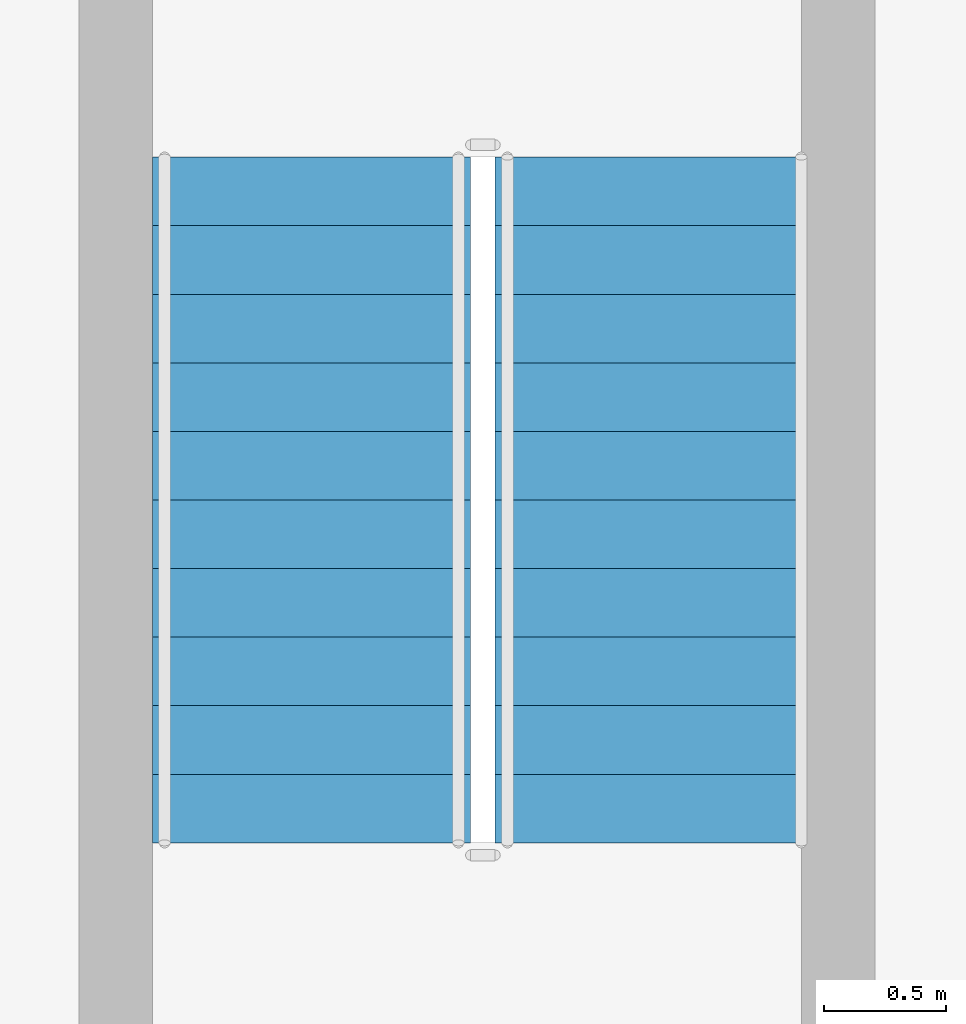
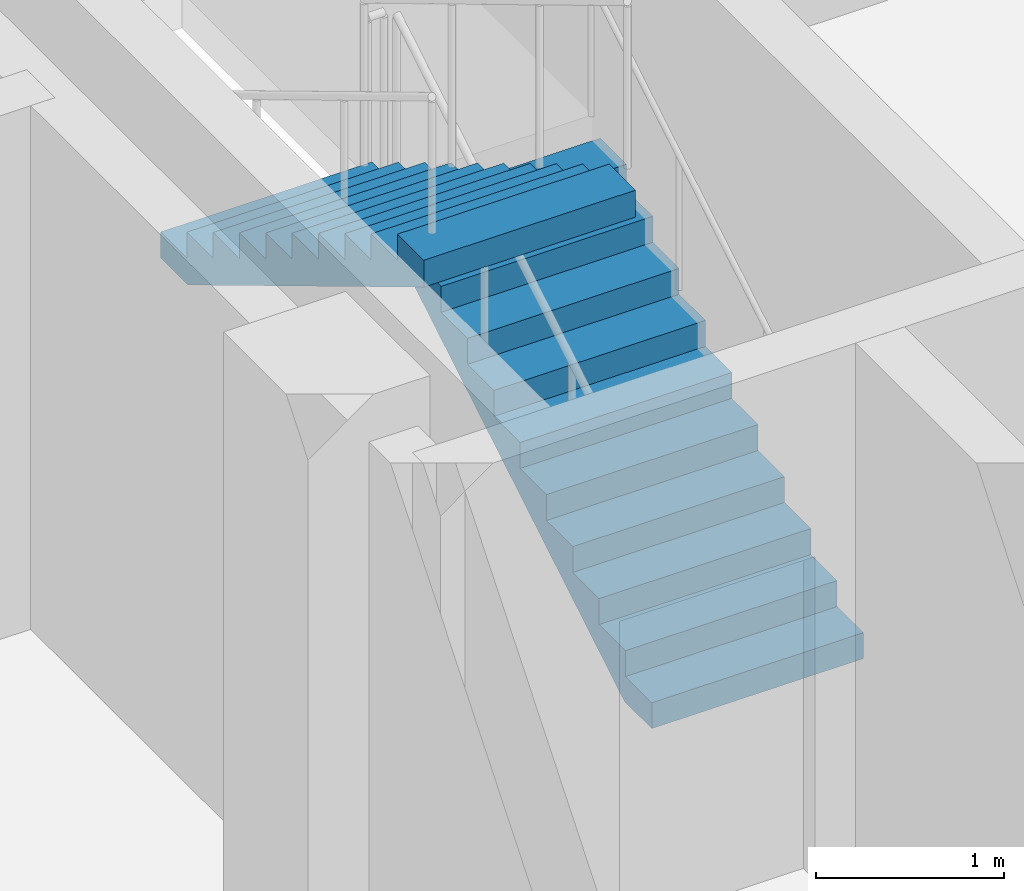
# One storey, part 16 of 23: 2 stair flights, 1 element without a shape of its own.
"""IFC4 building model written with IfcOpenShell, lengths in metres."""

from ifc_helpers import new_model, si_unit, direction, frame, origin, place, context, subcontext, project, spatial, triangles, source, transform, mapped, material, type_object, element, aggregate, save


model = new_model("IFC4")

# Units and contexts
model_context = context("Model", 3, precision=1e-05, world=origin(), true_north=direction((0.0, 1.0)))
body_context = subcontext(model_context, "Body", "Model", "MODEL_VIEW")
ifc_project = project(units=[si_unit("LENGTHUNIT", "METRE"), si_unit("AREAUNIT", "SQUARE_METRE"), si_unit("VOLUMEUNIT", "CUBIC_METRE"), si_unit("PLANEANGLEUNIT", "RADIAN"), si_unit("MASSUNIT", "GRAM", prefix="KILO")], contexts=[model_context])

# Site, building, storey
site_placement = place(None, origin())
site = spatial("IfcSite", under=ifc_project, at=site_placement, CompositionType="ELEMENT")
building_placement = place(site_placement, origin())
building = spatial("IfcBuilding", under=site, at=building_placement, Name="Ogive Portal Towers", CompositionType="ELEMENT")
storey_placement = place(building_placement, frame((0.0, 0.0, 168.10009765625)))
storey = spatial("IfcBuildingStorey", under=building, at=storey_placement, Name="L41", CompositionType="ELEMENT", Elevation=168.10009765625)

# Stair, stair flights
ifc_material = material(Name="Concrete C40/50", Category="concrete")
stair_type = type_object("IfcStairType", Name="INT-STAIR", PredefinedType="HALF_TURN_STAIR", material=ifc_material)
stair_placement = place(storey_placement, origin())
stair = element("IfcStair", 1, at=stair_placement, inside=storey, type_object=stair_type, Name="L41 Exit Stair ST-A3", PredefinedType="HALF_TURN_STAIR")
stair_flight_type = type_object("IfcStairFlightType", Name="INT-FLIGHT", PredefinedType="STRAIGHT", material=ifc_material)
shared_shape = source(origin(), body_context, "Body", "Tessellation", [
    triangles([(0.0, -0.650146484375, 0.0), (0.0, -0.376220703125, 0.0), (0.0, -0.192626953125, 0.0), (0.0, -0.081298828125, 0.0), (0.0, -0.024169921875, 0.0), (0.0, -0.003173828125, 0.0), (0.0, 0.0, 0.0), (0.0, 0.0029296875, 0.0), (0.0, 0.02392578125, 0.0), (0.0, 0.0810546875, 0.0), (0.0, 0.1923828125, 0.0), (0.0, 0.3759765625, 0.0), (0.0, 0.64990234375, 0.0), (0.0, -0.650146484375, 0.168212890625), (0.0, -0.376220703125, 0.168212890625), (0.0, -0.192626953125, 0.168212890625), (0.0, -0.081298828125, 0.168212890625), (0.0, -0.024169921875, 0.168212890625), (0.0, -0.003173828125, 0.168212890625), (0.0, 0.0, 0.168212890625), (0.0, 0.0029296875, 0.168212890625), (0.0, 0.02392578125, 0.168212890625), (0.0, 0.0810546875, 0.168212890625), (0.0, 0.1923828125, 0.168212890625), (0.0, 0.3759765625, 0.168212890625), (0.0, 0.64990234375, 0.168212890625), (0.280029296875, -0.650146484375, 0.168212890625), (0.280029296875, -0.376220703125, 0.168212890625), (0.280029296875, -0.192626953125, 0.168212890625), (0.280029296875, -0.081298828125, 0.168212890625), (0.280029296875, -0.024169921875, 0.168212890625), (0.280029296875, -0.003173828125, 0.168212890625), (0.280029296875, 0.0, 0.168212890625), (0.280029296875, 0.0029296875, 0.168212890625), (0.280029296875, 0.02392578125, 0.168212890625), (0.280029296875, 0.0810546875, 0.168212890625), (0.280029296875, 0.1923828125, 0.168212890625), (0.280029296875, 0.3759765625, 0.168212890625), (0.280029296875, 0.64990234375, 0.168212890625), (0.280029296875, -0.650146484375, 0.33642578125), (0.280029296875, -0.376220703125, 0.33642578125), (0.280029296875, -0.192626953125, 0.33642578125), (0.280029296875, -0.081298828125, 0.33642578125), (0.280029296875, -0.024169921875, 0.33642578125), (0.280029296875, -0.003173828125, 0.33642578125), (0.280029296875, 0.0, 0.33642578125), (0.280029296875, 0.0029296875, 0.33642578125), (0.280029296875, 0.02392578125, 0.33642578125), (0.280029296875, 0.0810546875, 0.33642578125), (0.280029296875, 0.1923828125, 0.33642578125), (0.280029296875, 0.3759765625, 0.33642578125), (0.280029296875, 0.64990234375, 0.33642578125), (0.56005859375, -0.650146484375, 0.33642578125), (0.56005859375, -0.376220703125, 0.33642578125), (0.56005859375, -0.192626953125, 0.33642578125), (0.56005859375, -0.081298828125, 0.33642578125), (0.56005859375, -0.024169921875, 0.33642578125), (0.56005859375, -0.003173828125, 0.33642578125), (0.56005859375, 0.0, 0.33642578125), (0.56005859375, 0.0029296875, 0.33642578125), (0.56005859375, 0.02392578125, 0.33642578125), (0.56005859375, 0.0810546875, 0.33642578125), (0.56005859375, 0.1923828125, 0.33642578125), (0.56005859375, 0.3759765625, 0.33642578125), (0.56005859375, 0.64990234375, 0.33642578125), (0.56005859375, -0.650146484375, 0.504638671875), (0.56005859375, -0.376220703125, 0.504638671875), (0.56005859375, -0.192626953125, 0.504638671875), (0.56005859375, -0.081298828125, 0.504638671875), (0.56005859375, -0.024169921875, 0.504638671875), (0.56005859375, -0.003173828125, 0.504638671875), (0.56005859375, 0.0, 0.504638671875), (0.56005859375, 0.0029296875, 0.504638671875), (0.56005859375, 0.02392578125, 0.504638671875), (0.56005859375, 0.0810546875, 0.504638671875), (0.56005859375, 0.1923828125, 0.504638671875), (0.56005859375, 0.3759765625, 0.504638671875), (0.56005859375, 0.64990234375, 0.504638671875), (0.840087890625, -0.650146484375, 0.504638671875), (0.840087890625, -0.376220703125, 0.504638671875), (0.840087890625, -0.192626953125, 0.504638671875), (0.840087890625, -0.081298828125, 0.504638671875), (0.840087890625, -0.024169921875, 0.504638671875), (0.840087890625, -0.003173828125, 0.504638671875), (0.840087890625, 0.0, 0.504638671875), (0.840087890625, 0.0029296875, 0.504638671875), (0.840087890625, 0.02392578125, 0.504638671875), (0.840087890625, 0.0810546875, 0.504638671875), (0.840087890625, 0.1923828125, 0.504638671875), (0.840087890625, 0.3759765625, 0.504638671875), (0.840087890625, 0.64990234375, 0.504638671875), (0.840087890625, -0.650146484375, 0.672607421875), (0.840087890625, -0.376220703125, 0.672607421875), (0.840087890625, -0.192626953125, 0.672607421875), (0.840087890625, -0.081298828125, 0.672607421875), (0.840087890625, -0.024169921875, 0.672607421875), (0.840087890625, -0.003173828125, 0.672607421875), (0.840087890625, 0.0, 0.672607421875), (0.840087890625, 0.0029296875, 0.672607421875), (0.840087890625, 0.02392578125, 0.672607421875), (0.840087890625, 0.0810546875, 0.672607421875), (0.840087890625, 0.1923828125, 0.672607421875), (0.840087890625, 0.3759765625, 0.672607421875), (0.840087890625, 0.64990234375, 0.672607421875), (1.1201171875, -0.650146484375, 0.672607421875), (1.1201171875, -0.376220703125, 0.672607421875), (1.1201171875, -0.192626953125, 0.672607421875), (1.1201171875, -0.081298828125, 0.672607421875), (1.1201171875, -0.024169921875, 0.672607421875), (1.1201171875, -0.003173828125, 0.672607421875), (1.1201171875, 0.0, 0.672607421875), (1.1201171875, 0.0029296875, 0.672607421875), (1.1201171875, 0.02392578125, 0.672607421875), (1.1201171875, 0.0810546875, 0.672607421875), (1.1201171875, 0.1923828125, 0.672607421875), (1.1201171875, 0.3759765625, 0.672607421875), (1.1201171875, 0.64990234375, 0.672607421875), (1.1201171875, -0.650146484375, 0.8408203125), (1.1201171875, -0.376220703125, 0.8408203125), (1.1201171875, -0.192626953125, 0.8408203125), (1.1201171875, -0.081298828125, 0.8408203125), (1.1201171875, -0.024169921875, 0.8408203125), (1.1201171875, -0.003173828125, 0.8408203125), (1.1201171875, 0.0, 0.8408203125), (1.1201171875, 0.0029296875, 0.8408203125), (1.1201171875, 0.02392578125, 0.8408203125), (1.1201171875, 0.0810546875, 0.8408203125), (1.1201171875, 0.1923828125, 0.8408203125), (1.1201171875, 0.3759765625, 0.8408203125), (1.1201171875, 0.64990234375, 0.8408203125), (1.39990234375, -0.650146484375, 0.8408203125), (1.39990234375, -0.376220703125, 0.8408203125), (1.39990234375, -0.192626953125, 0.8408203125), (1.39990234375, -0.081298828125, 0.8408203125), (1.39990234375, -0.024169921875, 0.8408203125), (1.39990234375, -0.003173828125, 0.8408203125), (1.39990234375, 0.0, 0.8408203125), (1.39990234375, 0.0029296875, 0.8408203125), (1.39990234375, 0.02392578125, 0.8408203125), (1.39990234375, 0.0810546875, 0.8408203125), (1.39990234375, 0.1923828125, 0.8408203125), (1.39990234375, 0.3759765625, 0.8408203125), (1.39990234375, 0.64990234375, 0.8408203125), (1.39990234375, -0.650146484375, 1.009033203125), (1.39990234375, -0.376220703125, 1.009033203125), (1.39990234375, -0.192626953125, 1.009033203125), (1.39990234375, -0.081298828125, 1.009033203125), (1.39990234375, -0.024169921875, 1.009033203125), (1.39990234375, -0.003173828125, 1.009033203125), (1.39990234375, 0.0, 1.009033203125), (1.39990234375, 0.0029296875, 1.009033203125), (1.39990234375, 0.02392578125, 1.009033203125), (1.39990234375, 0.0810546875, 1.009033203125), (1.39990234375, 0.1923828125, 1.009033203125), (1.39990234375, 0.3759765625, 1.009033203125), (1.39990234375, 0.64990234375, 1.009033203125), (1.679931640625, -0.650146484375, 1.009033203125), (1.679931640625, -0.376220703125, 1.009033203125), (1.679931640625, -0.192626953125, 1.009033203125), (1.679931640625, -0.081298828125, 1.009033203125), (1.679931640625, -0.024169921875, 1.009033203125), (1.679931640625, -0.003173828125, 1.009033203125), (1.679931640625, 0.0, 1.009033203125), (1.679931640625, 0.0029296875, 1.009033203125), (1.679931640625, 0.02392578125, 1.009033203125), (1.679931640625, 0.0810546875, 1.009033203125), (1.679931640625, 0.1923828125, 1.009033203125), (1.679931640625, 0.3759765625, 1.009033203125), (1.679931640625, 0.64990234375, 1.009033203125), (1.679931640625, -0.650146484375, 1.17724609375), (1.679931640625, -0.376220703125, 1.17724609375), (1.679931640625, -0.192626953125, 1.17724609375), (1.679931640625, -0.081298828125, 1.17724609375), (1.679931640625, -0.024169921875, 1.17724609375), (1.679931640625, -0.003173828125, 1.17724609375), (1.679931640625, 0.0, 1.17724609375), (1.679931640625, 0.0029296875, 1.17724609375), (1.679931640625, 0.02392578125, 1.17724609375), (1.679931640625, 0.0810546875, 1.17724609375), (1.679931640625, 0.1923828125, 1.17724609375), (1.679931640625, 0.3759765625, 1.17724609375), (1.679931640625, 0.64990234375, 1.17724609375), (1.9599609375, -0.650146484375, 1.17724609375), (1.9599609375, -0.376220703125, 1.17724609375), (1.9599609375, -0.192626953125, 1.17724609375), (1.9599609375, -0.081298828125, 1.17724609375), (1.9599609375, -0.024169921875, 1.17724609375), (1.9599609375, -0.003173828125, 1.17724609375), (1.9599609375, 0.0, 1.17724609375), (1.9599609375, 0.0029296875, 1.17724609375), (1.9599609375, 0.02392578125, 1.17724609375), (1.9599609375, 0.0810546875, 1.17724609375), (1.9599609375, 0.1923828125, 1.17724609375), (1.9599609375, 0.3759765625, 1.17724609375), (1.9599609375, 0.64990234375, 1.17724609375), (1.9599609375, -0.650146484375, 1.345458984375), (1.9599609375, -0.376220703125, 1.345458984375), (1.9599609375, -0.192626953125, 1.345458984375), (1.9599609375, -0.081298828125, 1.345458984375), (1.9599609375, -0.024169921875, 1.345458984375), (1.9599609375, -0.003173828125, 1.345458984375), (1.9599609375, 0.0, 1.345458984375), (1.9599609375, 0.0029296875, 1.345458984375), (1.9599609375, 0.02392578125, 1.345458984375), (1.9599609375, 0.0810546875, 1.345458984375), (1.9599609375, 0.1923828125, 1.345458984375), (1.9599609375, 0.3759765625, 1.345458984375), (1.9599609375, 0.64990234375, 1.345458984375), (2.239990234375, -0.650146484375, 1.345458984375), (2.239990234375, -0.376220703125, 1.345458984375), (2.239990234375, -0.192626953125, 1.345458984375), (2.239990234375, -0.081298828125, 1.345458984375), (2.239990234375, -0.024169921875, 1.345458984375), (2.239990234375, -0.003173828125, 1.345458984375), (2.239990234375, 0.0, 1.345458984375), (2.239990234375, 0.0029296875, 1.345458984375), (2.239990234375, 0.02392578125, 1.345458984375), (2.239990234375, 0.0810546875, 1.345458984375), (2.239990234375, 0.1923828125, 1.345458984375), (2.239990234375, 0.3759765625, 1.345458984375), (2.239990234375, 0.64990234375, 1.345458984375), (2.239990234375, -0.650146484375, 1.513671875), (2.239990234375, -0.376220703125, 1.513671875), (2.239990234375, -0.192626953125, 1.513671875), (2.239990234375, -0.081298828125, 1.513671875), (2.239990234375, -0.024169921875, 1.513671875), (2.239990234375, -0.003173828125, 1.513671875), (2.239990234375, 0.0, 1.513671875), (2.239990234375, 0.0029296875, 1.513671875), (2.239990234375, 0.02392578125, 1.513671875), (2.239990234375, 0.0810546875, 1.513671875), (2.239990234375, 0.1923828125, 1.513671875), (2.239990234375, 0.3759765625, 1.513671875), (2.239990234375, 0.64990234375, 1.513671875), (2.52001953125, -0.650146484375, 1.513671875), (2.52001953125, -0.376220703125, 1.513671875), (2.52001953125, -0.192626953125, 1.513671875), (2.52001953125, -0.081298828125, 1.513671875), (2.52001953125, -0.024169921875, 1.513671875), (2.52001953125, -0.003173828125, 1.513671875), (2.52001953125, 0.0, 1.513671875), (2.52001953125, 0.0029296875, 1.513671875), (2.52001953125, 0.02392578125, 1.513671875), (2.52001953125, 0.0810546875, 1.513671875), (2.52001953125, 0.1923828125, 1.513671875), (2.52001953125, 0.3759765625, 1.513671875), (2.52001953125, 0.64990234375, 1.513671875), (2.52001953125, -0.650146484375, 1.681884765625), (2.52001953125, -0.376220703125, 1.681884765625), (2.52001953125, -0.192626953125, 1.681884765625), (2.52001953125, -0.081298828125, 1.681884765625), (2.52001953125, -0.024169921875, 1.681884765625), (2.52001953125, -0.003173828125, 1.681884765625), (2.52001953125, 0.0, 1.681884765625), (2.52001953125, 0.0029296875, 1.681884765625), (2.52001953125, 0.02392578125, 1.681884765625), (2.52001953125, 0.0810546875, 1.681884765625), (2.52001953125, 0.1923828125, 1.681884765625), (2.52001953125, 0.3759765625, 1.681884765625), (2.52001953125, 0.64990234375, 1.681884765625), (2.800048828125, -0.650146484375, 1.681884765625), (2.800048828125, -0.376220703125, 1.681884765625), (2.800048828125, -0.192626953125, 1.681884765625), (2.800048828125, -0.081298828125, 1.681884765625), (2.800048828125, -0.024169921875, 1.681884765625), (2.800048828125, -0.003173828125, 1.681884765625), (2.800048828125, 0.0, 1.681884765625), (2.800048828125, 0.0029296875, 1.681884765625), (2.800048828125, 0.02392578125, 1.681884765625), (2.800048828125, 0.0810546875, 1.681884765625), (2.800048828125, 0.1923828125, 1.681884765625), (2.800048828125, 0.3759765625, 1.681884765625), (2.800048828125, 0.64990234375, 1.681884765625), (2.800048828125, -0.650146484375, 1.5068359375), (2.800048828125, -0.376220703125, 1.5068359375), (2.800048828125, -0.192626953125, 1.5068359375), (2.800048828125, -0.081298828125, 1.5068359375), (2.800048828125, -0.024169921875, 1.5068359375), (2.800048828125, -0.003173828125, 1.5068359375), (2.800048828125, 0.0, 1.5068359375), (2.800048828125, 0.0029296875, 1.5068359375), (2.800048828125, 0.02392578125, 1.5068359375), (2.800048828125, 0.0810546875, 1.5068359375), (2.800048828125, 0.1923828125, 1.5068359375), (2.800048828125, 0.3759765625, 1.5068359375), (2.800048828125, 0.64990234375, 1.5068359375), (0.291015625, -0.650146484375, 0.0), (0.291015625, -0.376220703125, 0.0), (0.291015625, -0.192626953125, 0.0), (0.291015625, -0.081298828125, 0.0), (0.291015625, -0.024169921875, 0.0), (0.291015625, -0.003173828125, 0.0), (0.291015625, 0.0, 0.0), (0.291015625, 0.0029296875, 0.0), (0.291015625, 0.02392578125, 0.0), (0.291015625, 0.0810546875, 0.0), (0.291015625, 0.1923828125, 0.0), (0.291015625, 0.3759765625, 0.0), (0.291015625, 0.64990234375, 0.0)], [[1, 14, 15], [1, 15, 2], [2, 15, 16], [2, 16, 3], [3, 16, 17], [3, 17, 4], [4, 17, 18], [4, 18, 5], [5, 18, 19], [5, 19, 6], [6, 19, 20], [6, 20, 7], [7, 20, 21], [7, 21, 8], [8, 21, 22], [8, 22, 9], [9, 22, 23], [9, 23, 10], [10, 23, 24], [10, 24, 11], [11, 24, 25], [11, 25, 12], [12, 25, 26], [12, 26, 13], [14, 27, 28], [14, 28, 15], [15, 28, 29], [15, 29, 16], [16, 29, 30], [16, 30, 17], [17, 30, 31], [17, 31, 18], [18, 31, 32], [18, 32, 19], [19, 32, 33], [19, 33, 20], [20, 33, 34], [20, 34, 21], [21, 34, 35], [21, 35, 22], [22, 35, 36], [22, 36, 23], [23, 36, 37], [23, 37, 24], [24, 37, 38], [24, 38, 25], [25, 38, 39], [25, 39, 26], [27, 40, 41], [27, 41, 28], [28, 41, 42], [28, 42, 29], [29, 42, 43], [29, 43, 30], [30, 43, 44], [30, 44, 31], [31, 44, 45], [31, 45, 32], [32, 45, 46], [32, 46, 33], [33, 46, 47], [33, 47, 34], [34, 47, 48], [34, 48, 35], [35, 48, 49], [35, 49, 36], [36, 49, 50], [36, 50, 37], [37, 50, 51], [37, 51, 38], [38, 51, 52], [38, 52, 39], [40, 53, 54], [40, 54, 41], [41, 54, 55], [41, 55, 42], [42, 55, 56], [42, 56, 43], [43, 56, 57], [43, 57, 44], [44, 57, 58], [44, 58, 45], [45, 58, 59], [45, 59, 46], [46, 59, 60], [46, 60, 47], [47, 60, 61], [47, 61, 48], [48, 61, 62], [48, 62, 49], [49, 62, 63], [49, 63, 50], [50, 63, 64], [50, 64, 51], [51, 64, 65], [51, 65, 52], [53, 66, 67], [53, 67, 54], [54, 67, 68], [54, 68, 55], [55, 68, 69], [55, 69, 56], [56, 69, 70], [56, 70, 57], [57, 70, 71], [57, 71, 58], [58, 71, 72], [58, 72, 59], [59, 72, 73], [59, 73, 60], [60, 73, 74], [60, 74, 61], [61, 74, 75], [61, 75, 62], [62, 75, 76], [62, 76, 63], [63, 76, 77], [63, 77, 64], [64, 77, 78], [64, 78, 65], [66, 79, 80], [66, 80, 67], [67, 80, 81], [67, 81, 68], [68, 81, 82], [68, 82, 69], [69, 82, 83], [69, 83, 70], [70, 83, 84], [70, 84, 71], [71, 84, 85], [71, 85, 72], [72, 85, 86], [72, 86, 73], [73, 86, 87], [73, 87, 74], [74, 87, 88], [74, 88, 75], [75, 88, 89], [75, 89, 76], [76, 89, 90], [76, 90, 77], [77, 90, 91], [77, 91, 78], [79, 92, 93], [79, 93, 80], [80, 93, 94], [80, 94, 81], [81, 94, 95], [81, 95, 82], [82, 95, 96], [82, 96, 83], [83, 96, 97], [83, 97, 84], [84, 97, 98], [84, 98, 85], [85, 98, 99], [85, 99, 86], [86, 99, 100], [86, 100, 87], [87, 100, 101], [87, 101, 88], [88, 101, 102], [88, 102, 89], [89, 102, 103], [89, 103, 90], [90, 103, 104], [90, 104, 91], [92, 105, 106], [92, 106, 93], [93, 106, 107], [93, 107, 94], [94, 107, 108], [94, 108, 95], [95, 108, 109], [95, 109, 96], [96, 109, 110], [96, 110, 97], [97, 110, 111], [97, 111, 98], [98, 111, 112], [98, 112, 99], [99, 112, 113], [99, 113, 100], [100, 113, 114], [100, 114, 101], [101, 114, 115], [101, 115, 102], [102, 115, 116], [102, 116, 103], [103, 116, 117], [103, 117, 104], [105, 118, 119], [105, 119, 106], [106, 119, 120], [106, 120, 107], [107, 120, 121], [107, 121, 108], [108, 121, 122], [108, 122, 109], [109, 122, 123], [109, 123, 110], [110, 123, 124], [110, 124, 111], [111, 124, 125], [111, 125, 112], [112, 125, 126], [112, 126, 113], [113, 126, 127], [113, 127, 114], [114, 127, 128], [114, 128, 115], [115, 128, 129], [115, 129, 116], [116, 129, 130], [116, 130, 117], [118, 131, 132], [118, 132, 119], [119, 132, 133], [119, 133, 120], [120, 133, 134], [120, 134, 121], [121, 134, 135], [121, 135, 122], [122, 135, 136], [122, 136, 123], [123, 136, 137], [123, 137, 124], [124, 137, 138], [124, 138, 125], [125, 138, 139], [125, 139, 126], [126, 139, 140], [126, 140, 127], [127, 140, 141], [127, 141, 128], [128, 141, 142], [128, 142, 129], [129, 142, 143], [129, 143, 130], [131, 144, 145], [131, 145, 132], [132, 145, 146], [132, 146, 133], [133, 146, 147], [133, 147, 134], [134, 147, 148], [134, 148, 135], [135, 148, 149], [135, 149, 136], [136, 149, 150], [136, 150, 137], [137, 150, 151], [137, 151, 138], [138, 151, 152], [138, 152, 139], [139, 152, 153], [139, 153, 140], [140, 153, 154], [140, 154, 141], [141, 154, 155], [141, 155, 142], [142, 155, 156], [142, 156, 143], [144, 157, 158], [144, 158, 145], [145, 158, 159], [145, 159, 146], [146, 159, 160], [146, 160, 147], [147, 160, 161], [147, 161, 148], [148, 161, 162], [148, 162, 149], [149, 162, 163], [149, 163, 150], [150, 163, 164], [150, 164, 151], [151, 164, 165], [151, 165, 152], [152, 165, 166], [152, 166, 153], [153, 166, 167], [153, 167, 154], [154, 167, 168], [154, 168, 155], [155, 168, 169], [155, 169, 156], [157, 170, 171], [157, 171, 158], [158, 171, 172], [158, 172, 159], [159, 172, 173], [159, 173, 160], [160, 173, 174], [160, 174, 161], [161, 174, 175], [161, 175, 162], [162, 175, 176], [162, 176, 163], [163, 176, 177], [163, 177, 164], [164, 177, 178], [164, 178, 165], [165, 178, 179], [165, 179, 166], [166, 179, 180], [166, 180, 167], [167, 180, 181], [167, 181, 168], [168, 181, 182], [168, 182, 169], [170, 183, 184], [170, 184, 171], [171, 184, 185], [171, 185, 172], [172, 185, 186], [172, 186, 173], [173, 186, 187], [173, 187, 174], [174, 187, 188], [174, 188, 175], [175, 188, 189], [175, 189, 176], [176, 189, 190], [176, 190, 177], [177, 190, 191], [177, 191, 178], [178, 191, 192], [178, 192, 179], [179, 192, 193], [179, 193, 180], [180, 193, 194], [180, 194, 181], [181, 194, 195], [181, 195, 182], [183, 196, 197], [183, 197, 184], [184, 197, 198], [184, 198, 185], [185, 198, 199], [185, 199, 186], [186, 199, 200], [186, 200, 187], [187, 200, 201], [187, 201, 188], [188, 201, 202], [188, 202, 189], [189, 202, 203], [189, 203, 190], [190, 203, 204], [190, 204, 191], [191, 204, 205], [191, 205, 192], [192, 205, 206], [192, 206, 193], [193, 206, 207], [193, 207, 194], [194, 207, 208], [194, 208, 195], [196, 209, 210], [196, 210, 197], [197, 210, 211], [197, 211, 198], [198, 211, 212], [198, 212, 199], [199, 212, 213], [199, 213, 200], [200, 213, 214], [200, 214, 201], [201, 214, 215], [201, 215, 202], [202, 215, 216], [202, 216, 203], [203, 216, 217], [203, 217, 204], [204, 217, 218], [204, 218, 205], [205, 218, 219], [205, 219, 206], [206, 219, 220], [206, 220, 207], [207, 220, 221], [207, 221, 208], [209, 222, 223], [209, 223, 210], [210, 223, 224], [210, 224, 211], [211, 224, 225], [211, 225, 212], [212, 225, 226], [212, 226, 213], [213, 226, 227], [213, 227, 214], [214, 227, 228], [214, 228, 215], [215, 228, 229], [215, 229, 216], [216, 229, 230], [216, 230, 217], [217, 230, 231], [217, 231, 218], [218, 231, 232], [218, 232, 219], [219, 232, 233], [219, 233, 220], [220, 233, 234], [220, 234, 221], [222, 235, 236], [222, 236, 223], [223, 236, 237], [223, 237, 224], [224, 237, 238], [224, 238, 225], [225, 238, 239], [225, 239, 226], [226, 239, 240], [226, 240, 227], [227, 240, 241], [227, 241, 228], [228, 241, 242], [228, 242, 229], [229, 242, 243], [229, 243, 230], [230, 243, 244], [230, 244, 231], [231, 244, 245], [231, 245, 232], [232, 245, 246], [232, 246, 233], [233, 246, 247], [233, 247, 234], [235, 248, 249], [235, 249, 236], [236, 249, 250], [236, 250, 237], [237, 250, 251], [237, 251, 238], [238, 251, 252], [238, 252, 239], [239, 252, 253], [239, 253, 240], [240, 253, 254], [240, 254, 241], [241, 254, 255], [241, 255, 242], [242, 255, 256], [242, 256, 243], [243, 256, 257], [243, 257, 244], [244, 257, 258], [244, 258, 245], [245, 258, 259], [245, 259, 246], [246, 259, 260], [246, 260, 247], [248, 261, 262], [248, 262, 249], [249, 262, 263], [249, 263, 250], [250, 263, 264], [250, 264, 251], [251, 264, 265], [251, 265, 252], [252, 265, 266], [252, 266, 253], [253, 266, 267], [253, 267, 254], [254, 267, 268], [254, 268, 255], [255, 268, 269], [255, 269, 256], [256, 269, 270], [256, 270, 257], [257, 270, 271], [257, 271, 258], [258, 271, 272], [258, 272, 259], [259, 272, 273], [259, 273, 260], [261, 274, 275], [261, 275, 262], [262, 275, 276], [262, 276, 263], [263, 276, 277], [263, 277, 264], [264, 277, 278], [264, 278, 265], [265, 278, 279], [265, 279, 266], [266, 279, 280], [266, 280, 267], [267, 280, 281], [267, 281, 268], [268, 281, 282], [268, 282, 269], [269, 282, 283], [269, 283, 270], [270, 283, 284], [270, 284, 271], [271, 284, 285], [271, 285, 272], [272, 285, 286], [272, 286, 273], [274, 287, 288], [274, 288, 275], [275, 288, 289], [275, 289, 276], [276, 289, 290], [276, 290, 277], [277, 290, 291], [277, 291, 278], [278, 291, 292], [278, 292, 279], [279, 292, 293], [279, 293, 280], [280, 293, 294], [280, 294, 281], [281, 294, 295], [281, 295, 282], [282, 295, 296], [282, 296, 283], [283, 296, 297], [283, 297, 284], [284, 297, 298], [284, 298, 285], [285, 298, 299], [285, 299, 286], [287, 1, 2], [287, 2, 288], [288, 2, 3], [288, 3, 289], [289, 3, 4], [289, 4, 290], [290, 4, 5], [290, 5, 291], [291, 5, 6], [291, 6, 292], [292, 6, 7], [292, 7, 293], [293, 7, 8], [293, 8, 294], [294, 8, 9], [294, 9, 295], [295, 9, 10], [295, 10, 296], [296, 10, 11], [296, 11, 297], [297, 11, 12], [297, 12, 298], [298, 12, 13], [298, 13, 299], [1, 287, 274], [13, 286, 299], [274, 261, 248], [286, 260, 273], [274, 248, 235], [286, 247, 260], [274, 235, 222], [286, 234, 247], [274, 222, 209], [286, 221, 234], [209, 196, 183], [221, 195, 208], [274, 209, 183], [286, 195, 221], [183, 170, 157], [195, 169, 182], [274, 183, 157], [286, 169, 195], [157, 144, 131], [169, 143, 156], [274, 157, 131], [286, 143, 169], [131, 118, 105], [143, 117, 130], [274, 131, 105], [286, 117, 143], [1, 274, 105], [13, 117, 286], [105, 92, 79], [117, 91, 104], [79, 66, 53], [91, 65, 78], [105, 79, 53], [117, 65, 91], [53, 40, 27], [65, 39, 52], [105, 53, 27], [117, 39, 65], [1, 105, 27], [13, 39, 117], [27, 14, 1], [39, 13, 26]], closed=True),
])
stair_flight_1_placement = place(storey_placement, frame((43.550048828125, 67.199951171875, 0.0), z_axis=(0.0, 0.0, 1.0), x_axis=(0.0, 1.0, 0.0)))
stair_flight_1 = element("IfcStairFlight", 2, at=stair_flight_1_placement, type_object=stair_flight_type, Name="ST-A3 flight 1", NumberOfRisers=11, NumberOfTreads=10, PredefinedType="STRAIGHT", RiserHeight=0.168181818, TreadLength=0.28, context=body_context, shape_type="MappedRepresentation", body=[
    mapped(shared_shape, transform((0.0, 0.0, 0.0), scale=1.0)),
])
stair_flight_2_placement = place(storey_placement, frame((42.14990234375, 70.0, 1.849853515625), z_axis=(0.0, 0.0, 1.0), x_axis=(0.0, -1.0, 0.0)))
stair_flight_2 = element("IfcStairFlight", 3, at=stair_flight_2_placement, type_object=stair_flight_type, Name="ST-A3 flight 2", NumberOfRisers=11, NumberOfTreads=10, PredefinedType="STRAIGHT", RiserHeight=0.168181818, TreadLength=0.28, context=body_context, shape_type="MappedRepresentation", body=[
    mapped(shared_shape, transform((0.0, 0.0, 0.0), scale=1.0)),
])
aggregate(stair, [stair_flight_1, stair_flight_2])

save(model, "model.ifc")
